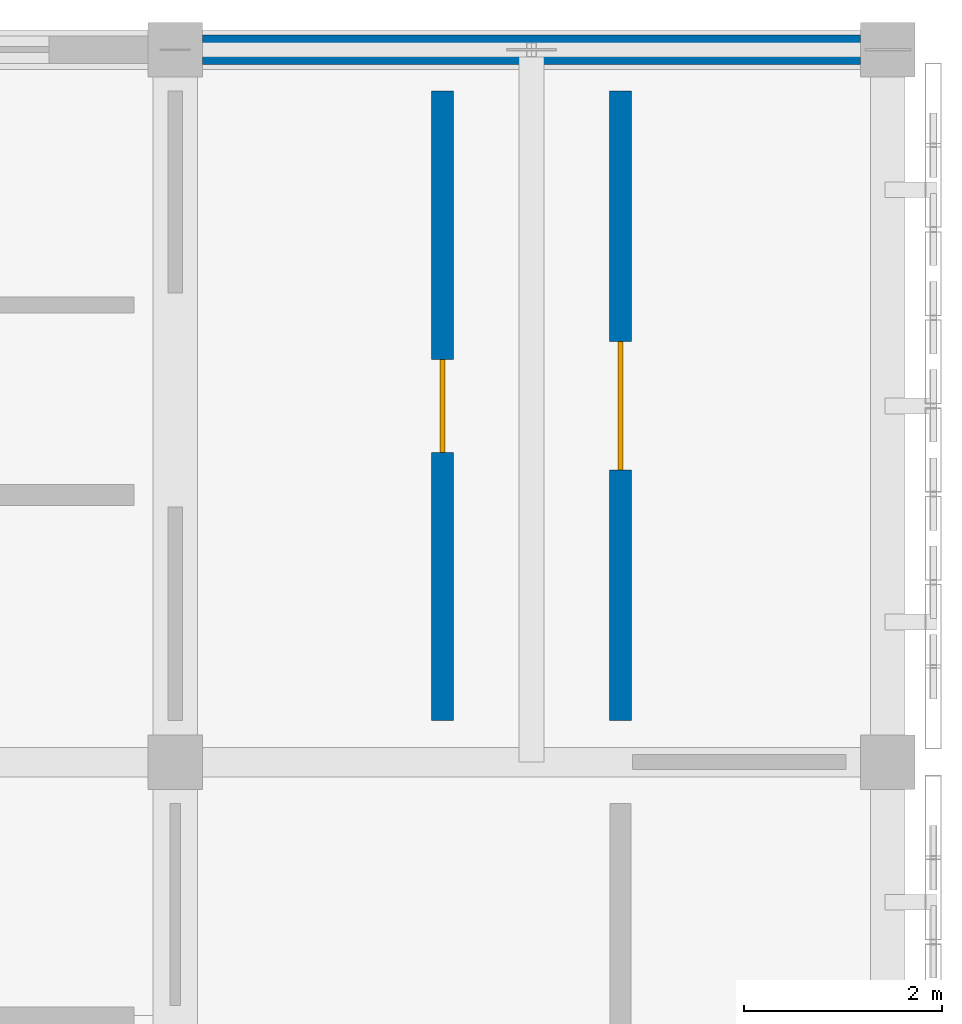
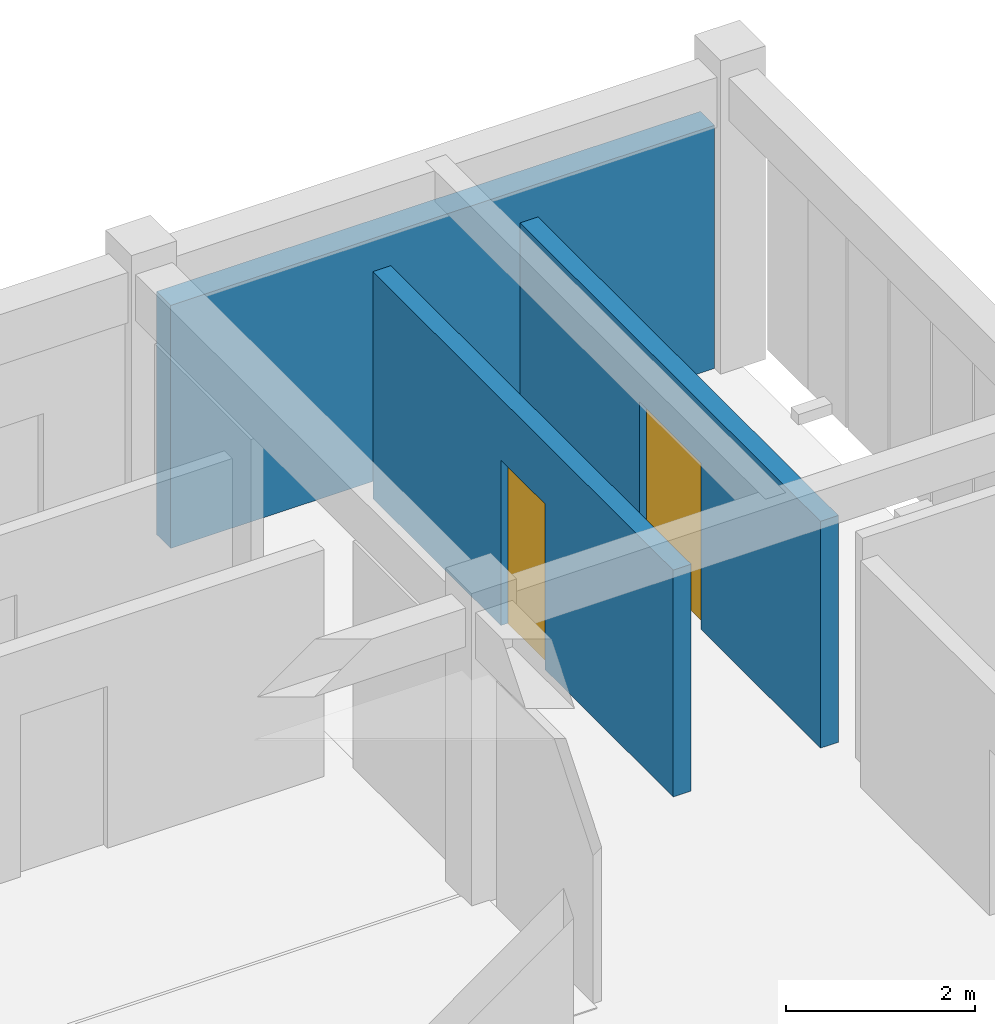
# One storey, part 60 of 67: 3 walls, 2 doors, 2 openings.
"""IFC4 building model written with IfcOpenShell, lengths in metres."""

from ifc_helpers import new_model, si_unit, direction, frame, frame_2d, origin, place, context, subcontext, project, spatial, rectangle, extrude, material, layer, layer_set, type_object, element, fill, save


model = new_model("IFC4")

# Units and contexts
model_context = context("Model", 3, precision=1e-05, world=origin(), true_north=direction((0.0, 1.0)))
body_context = subcontext(model_context, "Body", "Model", "MODEL_VIEW")
ifc_project = project(units=[si_unit("LENGTHUNIT", "METRE"), si_unit("AREAUNIT", "SQUARE_METRE"), si_unit("VOLUMEUNIT", "CUBIC_METRE"), si_unit("PLANEANGLEUNIT", "RADIAN"), si_unit("MASSUNIT", "GRAM", prefix="KILO")], contexts=[model_context])

# Site, building, storey
site_placement = place(None, origin())
site = spatial("IfcSite", under=ifc_project, at=site_placement, CompositionType="ELEMENT")
building_placement = place(site_placement, origin())
building = spatial("IfcBuilding", under=site, at=building_placement, Name="Aldebral Square Health Centre", CompositionType="ELEMENT")
storey_placement = place(building_placement, frame((0.0, 0.0, 13.5)))
storey = spatial("IfcBuildingStorey", under=building, at=storey_placement, Name="L03", CompositionType="ELEMENT", Elevation=13.5)

# Wall
ifc_material_1 = material(Name="Precast concrete C40/50 insulated panel", Category="concrete")
ifc_layer_1 = layer(ifc_material_1, 0.300048828125, Name="Precast concrete C40/50 insulated panel", Category="concrete")
ifc_layer_set_1 = layer_set([ifc_layer_1], Name="Precast concrete C40/50 insulated panel")
wall_type_1 = type_object("IfcWallType", Name="EW-PRE-300", PredefinedType="STANDARD", material=ifc_layer_set_1)
wall_1_placement = place(storey_placement, frame((165.324951171875, 115.199951171875, 0.0), z_axis=(0.0, 0.0, 1.0), x_axis=(-1.0, 0.0, 0.0)))
element("IfcWall", 1, at=wall_1_placement, inside=storey, type_object=wall_type_1, Name="L03 V5 exterior wall L03-V5-22-15-N", PredefinedType="STANDARD", context=body_context, shape_type="SweptSolid", body=[
    extrude(rectangle(XDim=6.64990234375, YDim=0.300048828125, at=frame_2d((3.324951171875, 0.0))), origin(), (0.0, 0.0, 1.0), 3.139892578125),
])

# Wall, opening, door
ifc_material_2 = material(Name="Concrete C35/45 compartment wall", Category="concrete")
ifc_layer_2 = layer(ifc_material_2, 0.219970703125, Name="Concrete C35/45 compartment wall", Category="concrete")
ifc_layer_set_2 = layer_set([ifc_layer_2], Name="Concrete C35/45 compartment wall")
wall_type_2 = type_object("IfcWallType", Name="IW-CMP-220", PredefinedType="SOLIDWALL", material=ifc_layer_set_2)
wall_2_placement = place(storey_placement, frame((161.10009765625, 108.419921875, 0.0), z_axis=(0.0, 0.0, 1.0), x_axis=(0.0, 1.0, 0.0)))
wall_2 = element("IfcWall", 2, at=wall_2_placement, inside=storey, type_object=wall_type_2, Name="L03 Cardiology Diagnostic Clinic 23.16W corridor wall", PredefinedType="SOLIDWALL", context=body_context, shape_type="SweptSolid", body=[
    extrude(rectangle(XDim=6.360107421875, YDim=0.219970703125, at=frame_2d((3.18017578125, 0.0))), origin(), (0.0, 0.0, 1.0), 2.929931640625),
])
opening_1_placement = place(wall_2_placement, frame((2.7099609375, 0.0, 0.0)))
opening_1 = element("IfcOpeningElement", 3, at=opening_1_placement, cuts=wall_2, Name="Opening D-0600", PredefinedType="OPENING", context=body_context, shape_type="SweptSolid", body=[
    extrude(rectangle(XDim=0.93994140625, YDim=2.139892578125, at=frame_2d((0.469970703125, 1.06982421875))), frame((0.0, 0.1201171875, 0.0), z_axis=(0.0, -1.0, 0.0), x_axis=(1.0, 0.0, 0.0)), (0.0, 0.0, 1.0), 0.239990234375),
])
ifc_material_3 = material(Name="Clinical suite fire door")
door_type_1 = type_object("IfcDoorType", Name="ID-EXD-33", OperationType="NOTDEFINED", PredefinedType="DOOR", material=ifc_material_3)
door_1_placement = place(opening_1_placement, origin())
door_1 = element("IfcDoor", 4, at=door_1_placement, inside=storey, type_object=door_type_1, Name="L03 Cardiology Diagnostic Clinic 23.16W door", OperationType="SINGLE_SWING_LEFT", OverallHeight=2.139892578125, OverallWidth=0.93994140625, PredefinedType="DOOR", context=body_context, shape_type="SweptSolid", body=[
    extrude(rectangle(XDim=0.93994140625, YDim=2.139892578125, at=frame_2d((0.469970703125, 1.06982421875))), frame((0.0, 0.02490234375, 0.0), z_axis=(0.0, -1.0, 0.0), x_axis=(1.0, 0.0, 0.0)), (0.0, 0.0, 1.0), 0.050048828125),
])
fill(opening_1, door_1)

wall_3_placement = place(storey_placement, frame((162.89990234375, 108.419921875, 0.0), z_axis=(0.0, 0.0, 1.0), x_axis=(0.0, 1.0, 0.0)))
wall_3 = element("IfcWall", 5, at=wall_3_placement, inside=storey, type_object=wall_type_2, Name="L03 ECG Stress Test Suite 23.16E corridor wall", PredefinedType="SOLIDWALL", context=body_context, shape_type="SweptSolid", body=[
    extrude(rectangle(XDim=6.360107421875, YDim=0.219970703125, at=frame_2d((3.18017578125, 0.0))), origin(), (0.0, 0.0, 1.0), 2.929931640625),
])
opening_2_placement = place(wall_3_placement, frame((2.530029296875, 0.0, 0.0)))
opening_2 = element("IfcOpeningElement", 6, at=opening_2_placement, cuts=wall_3, Name="Opening D-0601", PredefinedType="OPENING", context=body_context, shape_type="SweptSolid", body=[
    extrude(rectangle(XDim=1.300048828125, YDim=2.14990234375, at=frame_2d((0.64990234375, 1.074951171875))), frame((0.0, 0.1201171875, 0.0), z_axis=(0.0, -1.0, 0.0), x_axis=(1.0, 0.0, 0.0)), (0.0, 0.0, 1.0), 0.239990234375),
])
ifc_material_4 = material(Name="Radiography shielded fire door")
door_type_2 = type_object("IfcDoorType", Name="ID-IM-130", OperationType="NOTDEFINED", PredefinedType="DOOR", material=ifc_material_4)
door_2_placement = place(opening_2_placement, origin())
door_2 = element("IfcDoor", 7, at=door_2_placement, inside=storey, type_object=door_type_2, Name="L03 ECG Stress Test Suite 23.16E door", OperationType="SINGLE_SWING_RIGHT", OverallHeight=2.14990234375, OverallWidth=1.300048828125, PredefinedType="DOOR", context=body_context, shape_type="SweptSolid", body=[
    extrude(rectangle(XDim=1.300048828125, YDim=2.14990234375, at=frame_2d((0.64990234375, 1.074951171875))), frame((0.0, 0.02490234375, 0.0), z_axis=(0.0, -1.0, 0.0), x_axis=(1.0, 0.0, 0.0)), (0.0, 0.0, 1.0), 0.050048828125),
])
fill(opening_2, door_2)

save(model, "model.ifc")
